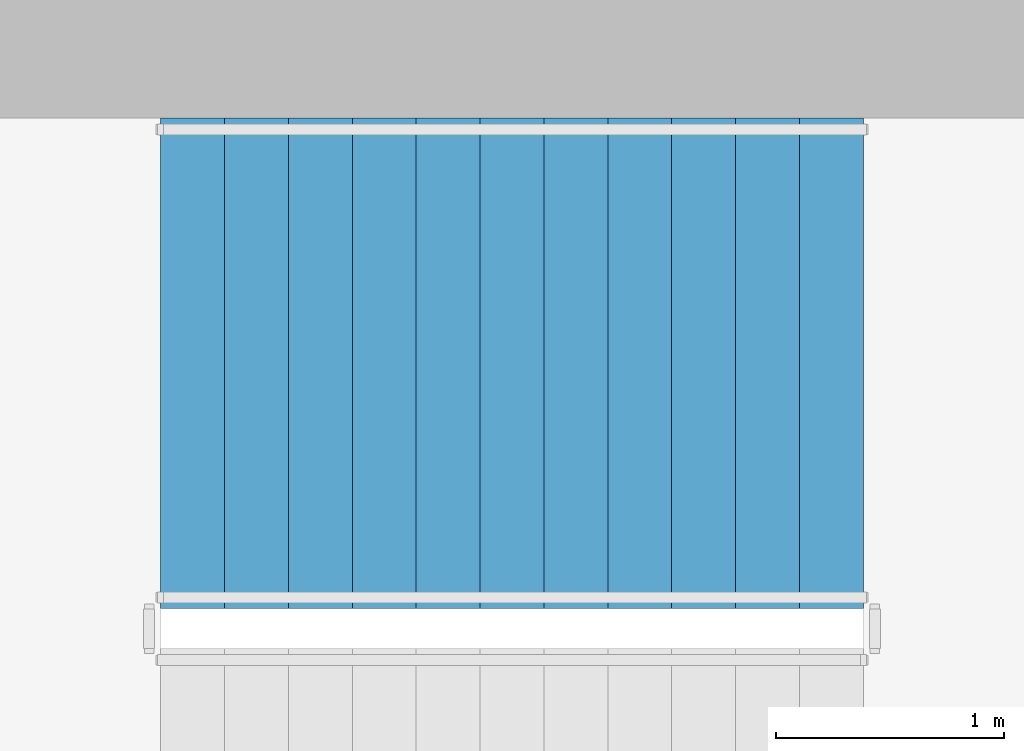
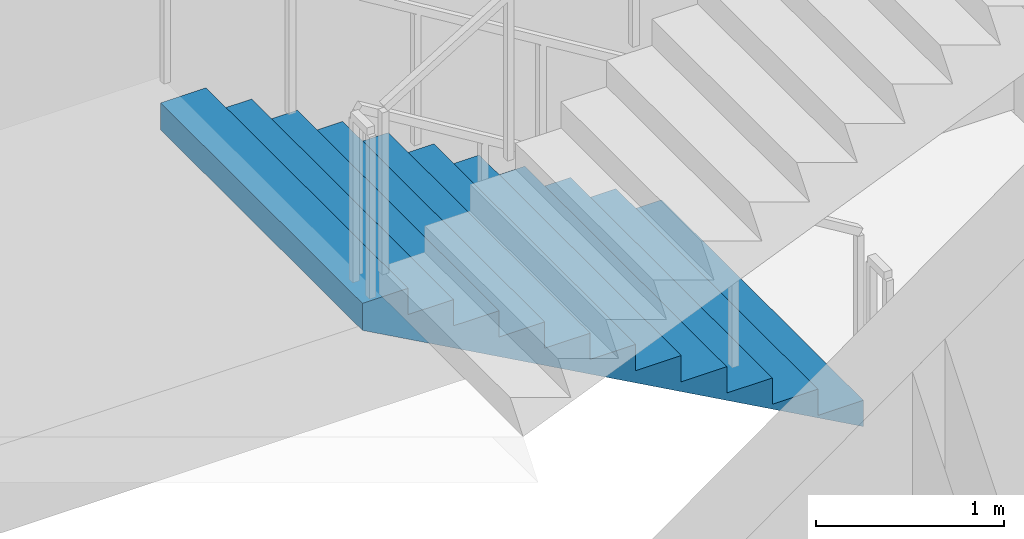
# One storey, part 10 of 15: 1 stair flight, 1 element without a shape of its own.
"""IFC4 building model written with IfcOpenShell, lengths in metres."""

from ifc_helpers import new_model, si_unit, direction, frame, origin, place, context, subcontext, project, spatial, triangles, material, type_object, element, aggregate, save


model = new_model("IFC4")

# Units and contexts
model_context = context("Model", 3, precision=1e-05, world=origin(), true_north=direction((0.0, 1.0)))
body_context = subcontext(model_context, "Body", "Model", "MODEL_VIEW")
ifc_project = project(units=[si_unit("LENGTHUNIT", "METRE"), si_unit("AREAUNIT", "SQUARE_METRE"), si_unit("VOLUMEUNIT", "CUBIC_METRE"), si_unit("PLANEANGLEUNIT", "RADIAN"), si_unit("MASSUNIT", "GRAM", prefix="KILO")], contexts=[model_context])

# Site, building, storey
site_placement = place(None, origin())
site = spatial("IfcSite", under=ifc_project, at=site_placement, CompositionType="ELEMENT")
building_placement = place(site_placement, origin())
building = spatial("IfcBuilding", under=site, at=building_placement, Name="Cypress Arch Tower", CompositionType="ELEMENT")
storey_placement = place(building_placement, frame((0.0, 0.0, 259.800048828125)))
storey = spatial("IfcBuildingStorey", under=building, at=storey_placement, Name="L58", CompositionType="ELEMENT", Elevation=259.800048828125)

# Stair, stair flight
ifc_material_1 = material(Name="Concrete C40/50", Category="concrete")
stair_type = type_object("IfcStairType", Name="Exit stair ES1708-215", PredefinedType="HALF_TURN_STAIR", material=ifc_material_1)
stair_placement = place(storey_placement, origin())
stair = element("IfcStair", 1, at=stair_placement, inside=storey, type_object=stair_type, Name="L58 Exit stair B", PredefinedType="HALF_TURN_STAIR")
ifc_material_2 = material(Name="Concrete C40/50", Category="concrete")
stair_flight_type = type_object("IfcStairFlightType", Name="Exit stair flight ES1708-215", PredefinedType="STRAIGHT", material=ifc_material_2)
stair_flight_placement = place(storey_placement, frame((-22.27490234375, 13.72509765625, 0.0), z_axis=(0.0, 0.0, 1.0), x_axis=(-1.0, 0.0, 0.0)))
stair_flight = element("IfcStairFlight", 2, at=stair_flight_placement, type_object=stair_flight_type, Name="B flight 1", NumberOfRisers=12, NumberOfTreads=11, PredefinedType="STRAIGHT", RiserHeight=0.170833333, TreadLength=0.28, context=body_context, shape_type="Tessellation", body=[
    triangles([(0.0, -1.074951171875, 0.0), (0.000244140625, -1.074951171875, 0.01904296875), (0.000244140625, -1.074951171875, 0.0380859375), (0.00048828125, -1.074951171875, 0.056884765625), (0.00048828125, -1.074951171875, 0.075927734375), (0.00048828125, -1.074951171875, 0.094970703125), (0.00048828125, -1.074951171875, 0.114013671875), (0.000244140625, -1.074951171875, 0.1328125), (0.000244140625, -1.074951171875, 0.15185546875), (0.0, -1.074951171875, 0.1708984375), (0.280029296875, -1.074951171875, 0.1708984375), (0.280029296875, -1.074951171875, 0.341552734375), (0.56005859375, -1.074951171875, 0.341552734375), (0.56005859375, -1.074951171875, 0.512451171875), (0.840087890625, -1.074951171875, 0.512451171875), (0.840087890625, -1.074951171875, 0.683349609375), (1.1201171875, -1.074951171875, 0.683349609375), (1.1201171875, -1.074951171875, 0.854248046875), (1.39990234375, -1.074951171875, 0.854248046875), (1.39990234375, -1.074951171875, 1.02490234375), (1.679931640625, -1.074951171875, 1.02490234375), (1.679931640625, -1.074951171875, 1.19580078125), (1.9599609375, -1.074951171875, 1.19580078125), (1.9599609375, -1.074951171875, 1.36669921875), (2.239990234375, -1.074951171875, 1.36669921875), (2.239990234375, -1.074951171875, 1.53759765625), (2.52001953125, -1.074951171875, 1.53759765625), (2.52001953125, -1.074951171875, 1.708251953125), (2.800048828125, -1.074951171875, 1.708251953125), (2.800048828125, -1.074951171875, 1.879150390625), (3.080078125, -1.074951171875, 1.879150390625), (3.079833984375, -1.074951171875, 1.859619140625), (3.079833984375, -1.074951171875, 1.840087890625), (3.07958984375, -1.074951171875, 1.820556640625), (3.07958984375, -1.074951171875, 1.801025390625), (3.07958984375, -1.074951171875, 1.78173828125), (3.07958984375, -1.074951171875, 1.76220703125), (3.079833984375, -1.074951171875, 1.74267578125), (3.079833984375, -1.074951171875, 1.72314453125), (3.080078125, -1.074951171875, 1.70361328125), (3.080078125, 1.074951171875, 1.70361328125), (3.079833984375, 1.074951171875, 1.72314453125), (3.079833984375, 1.074951171875, 1.74267578125), (3.07958984375, 1.074951171875, 1.76220703125), (3.07958984375, 1.074951171875, 1.78173828125), (3.07958984375, 1.074951171875, 1.801025390625), (3.07958984375, 1.074951171875, 1.820556640625), (3.079833984375, 1.074951171875, 1.840087890625), (3.079833984375, 1.074951171875, 1.859619140625), (3.080078125, 1.074951171875, 1.879150390625), (2.800048828125, 1.074951171875, 1.879150390625), (2.800048828125, 1.074951171875, 1.708251953125), (2.52001953125, 1.074951171875, 1.708251953125), (2.52001953125, 1.074951171875, 1.53759765625), (2.239990234375, 1.074951171875, 1.53759765625), (2.239990234375, 1.074951171875, 1.36669921875), (1.9599609375, 1.074951171875, 1.36669921875), (1.9599609375, 1.074951171875, 1.19580078125), (1.679931640625, 1.074951171875, 1.19580078125), (1.679931640625, 1.074951171875, 1.02490234375), (1.39990234375, 1.074951171875, 1.02490234375), (1.39990234375, 1.074951171875, 0.854248046875), (1.1201171875, 1.074951171875, 0.854248046875), (1.1201171875, 1.074951171875, 0.683349609375), (0.840087890625, 1.074951171875, 0.683349609375), (0.840087890625, 1.074951171875, 0.512451171875), (0.56005859375, 1.074951171875, 0.512451171875), (0.56005859375, 1.074951171875, 0.341552734375), (0.280029296875, 1.074951171875, 0.341552734375), (0.280029296875, 1.074951171875, 0.1708984375), (0.0, 1.074951171875, 0.1708984375), (0.000244140625, 1.074951171875, 0.15185546875), (0.000244140625, 1.074951171875, 0.1328125), (0.00048828125, 1.074951171875, 0.114013671875), (0.00048828125, 1.074951171875, 0.094970703125), (0.00048828125, 1.074951171875, 0.075927734375), (0.00048828125, 1.074951171875, 0.056884765625), (0.000244140625, 1.074951171875, 0.0380859375), (0.000244140625, 1.074951171875, 0.01904296875), (0.0, 1.074951171875, 0.0)], [[40, 39, 30], [39, 38, 30], [38, 37, 30], [37, 36, 30], [36, 35, 30], [35, 34, 30], [34, 33, 30], [33, 32, 30], [32, 31, 30], [19, 18, 17], [27, 26, 25], [25, 24, 23], [23, 22, 21], [17, 16, 15], [15, 14, 13], [10, 9, 11], [9, 8, 11], [8, 7, 11], [7, 6, 11], [6, 5, 11], [5, 4, 11], [4, 3, 11], [3, 2, 11], [2, 1, 11], [29, 28, 27], [21, 20, 19], [13, 12, 11], [40, 30, 29], [40, 29, 27], [40, 27, 25], [40, 25, 23], [40, 23, 21], [40, 21, 19], [40, 19, 17], [40, 17, 15], [40, 15, 13], [1, 40, 13], [13, 11, 1], [41, 51, 42], [42, 51, 43], [43, 51, 44], [44, 51, 45], [45, 51, 46], [46, 51, 47], [47, 51, 48], [48, 51, 49], [49, 51, 50], [62, 64, 63], [54, 56, 55], [56, 58, 57], [58, 60, 59], [64, 66, 65], [66, 68, 67], [71, 70, 72], [72, 70, 73], [73, 70, 74], [74, 70, 75], [75, 70, 76], [76, 70, 77], [77, 70, 78], [78, 70, 79], [79, 70, 80], [52, 54, 53], [60, 62, 61], [68, 70, 69], [41, 52, 51], [41, 54, 52], [41, 56, 54], [41, 58, 56], [41, 60, 58], [41, 62, 60], [41, 64, 62], [41, 66, 64], [41, 68, 66], [80, 68, 41], [68, 80, 70], [41, 42, 39], [41, 39, 40], [42, 43, 38], [42, 38, 39], [43, 44, 37], [43, 37, 38], [44, 45, 36], [44, 36, 37], [45, 46, 35], [45, 35, 36], [46, 47, 34], [46, 34, 35], [47, 48, 33], [47, 33, 34], [48, 49, 32], [48, 32, 33], [49, 50, 31], [49, 31, 32], [50, 51, 30], [50, 30, 31], [51, 52, 29], [51, 29, 30], [52, 53, 28], [52, 28, 29], [53, 54, 27], [53, 27, 28], [54, 55, 26], [54, 26, 27], [55, 56, 25], [55, 25, 26], [56, 57, 24], [56, 24, 25], [57, 58, 23], [57, 23, 24], [58, 59, 22], [58, 22, 23], [59, 60, 21], [59, 21, 22], [60, 61, 20], [60, 20, 21], [61, 62, 19], [61, 19, 20], [62, 63, 18], [62, 18, 19], [63, 64, 17], [63, 17, 18], [64, 65, 16], [64, 16, 17], [65, 66, 15], [65, 15, 16], [66, 67, 14], [66, 14, 15], [67, 68, 13], [67, 13, 14], [68, 69, 12], [68, 12, 13], [69, 70, 11], [69, 11, 12], [70, 71, 10], [70, 10, 11], [71, 72, 9], [71, 9, 10], [72, 73, 8], [72, 8, 9], [73, 74, 7], [73, 7, 8], [74, 75, 6], [74, 6, 7], [75, 76, 5], [75, 5, 6], [76, 77, 4], [76, 4, 5], [77, 78, 3], [77, 3, 4], [78, 79, 2], [78, 2, 3], [79, 80, 1], [79, 1, 2], [80, 41, 40], [80, 40, 1]], closed=True),
])
aggregate(stair, [stair_flight])

save(model, "model.ifc")
